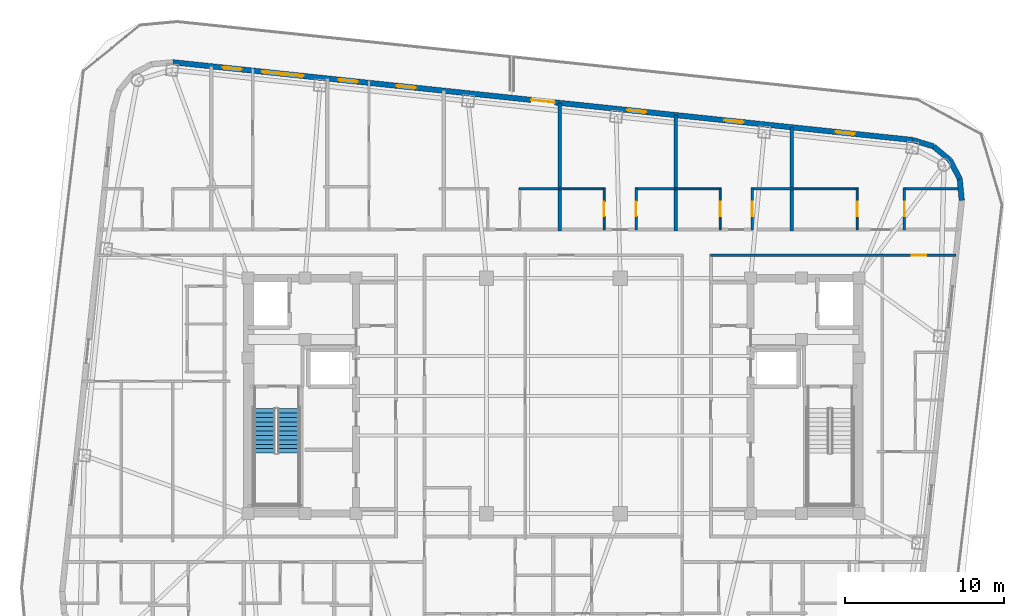
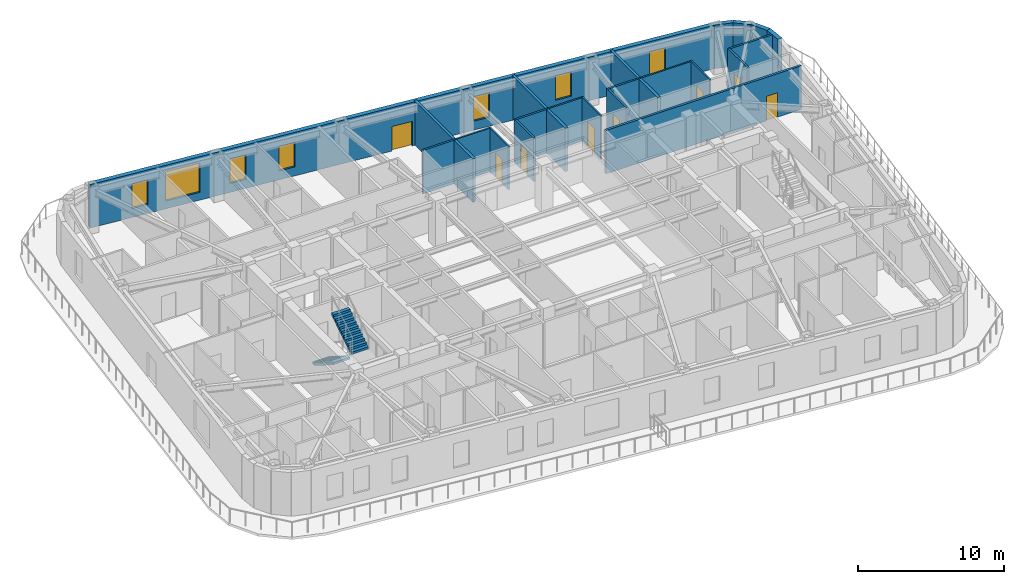
# One storey, part 8 of 14: 22 walls, 8 doors, 7 windows, 2 stair flights, 15 openings, 1 element without a shape of its own.
"""IFC4 building model written with IfcOpenShell, lengths in metres."""

from ifc_helpers import new_model, si_unit, direction, frame, frame_2d, origin, place, context, subcontext, project, spatial, polyline, rectangle, outline, extrude, material, layer, layer_set, type_object, element, fill, aggregate, save


model = new_model("IFC4")

# Units and contexts
model_context = context("Model", 3, precision=1e-05, world=origin(), true_north=direction((0.0, 1.0)))
body_context = subcontext(model_context, "Body", "Model", "MODEL_VIEW")
ifc_project = project(units=[si_unit("LENGTHUNIT", "METRE"), si_unit("AREAUNIT", "SQUARE_METRE"), si_unit("VOLUMEUNIT", "CUBIC_METRE"), si_unit("PLANEANGLEUNIT", "RADIAN"), si_unit("MASSUNIT", "GRAM", prefix="KILO")], contexts=[model_context])

# Site, building, storey
site_placement = place(None, origin())
site = spatial("IfcSite", under=ifc_project, at=site_placement, CompositionType="ELEMENT")
building_placement = place(site_placement, origin())
building = spatial("IfcBuilding", under=site, at=building_placement, Name="Voryun Gate Residences", CompositionType="ELEMENT")
storey_placement = place(building_placement, frame((0.0, 0.0, 291.199951171875)))
storey = spatial("IfcBuildingStorey", under=building, at=storey_placement, Name="L72", CompositionType="ELEMENT", Elevation=291.199951171875)

# Wall, opening, door
ifc_material_1 = material(Name="Gypsum acoustic fireboard")
ifc_layer_1 = layer(ifc_material_1, 0.179931640625, Name="W_CORR_RATED_180")
ifc_layer_set_1 = layer_set([ifc_layer_1], Name="Gypsum acoustic fireboard")
wall_type_1 = type_object("IfcWallType", Name="W_CORR_RATED_180", PredefinedType="PARTITIONING", material=ifc_layer_set_1)
wall_1_placement = place(storey_placement, frame((9.8798828125, 8.840087890625, 0.0), z_axis=(0.0, 0.0, 1.0), x_axis=(1.0, 0.0, 0.0)))
wall_1 = element("IfcWall", 1, at=wall_1_placement, inside=storey, type_object=wall_type_1, Name="Partition wall WP-L72-CWING-EN", PredefinedType="PARTITIONING", context=body_context, shape_type="SweptSolid", body=[
    extrude(rectangle(XDim=15.427001953125, YDim=0.179931640625, at=frame_2d((7.71337890625, 0.0))), origin(), (0.0, 0.0, 1.0), 3.635009765625),
])
opening_1_placement = place(wall_1_placement, frame((12.662841796875, 0.0, 0.0)))
opening_1 = element("IfcOpeningElement", 2, at=opening_1_placement, cuts=wall_1, Name="Opening D-INT-2", PredefinedType="OPENING", context=body_context, shape_type="SweptSolid", body=[
    extrude(rectangle(XDim=0.89990234375, YDim=2.050048828125, at=frame_2d((0.449951171875, 1.02490234375))), frame((0.0, 0.099853515625, 0.0), z_axis=(0.0, -1.0, 0.0), x_axis=(1.0, 0.0, 0.0)), (0.0, 0.0, 1.0), 0.199951171875),
])
ifc_material_2 = material(Name="Architectural oak veneer")
door_type_1 = type_object("IfcDoorType", Name="DR_INT_BATH_900", OperationType="NOTDEFINED", PredefinedType="DOOR", material=ifc_material_2)
door_1_placement = place(opening_1_placement, origin())
door_1 = element("IfcDoor", 3, at=door_1_placement, inside=storey, type_object=door_type_1, Name="Door DR-L72-EE1N", OperationType="SINGLE_SWING_LEFT", OverallHeight=2.050048828125, OverallWidth=0.89990234375, PredefinedType="DOOR", context=body_context, shape_type="SweptSolid", body=[
    extrude(rectangle(XDim=0.89990234375, YDim=2.050048828125, at=frame_2d((0.449951171875, 1.02490234375))), frame((0.0, 0.02490234375, 0.0), z_axis=(0.0, -1.0, 0.0), x_axis=(1.0, 0.0, 0.0)), (0.0, 0.0, 1.0), 0.050048828125),
])
fill(opening_1, door_1)

# Wall, openings, door, windows
ifc_material_3 = material(Name="Charcoal terracotta masonry", Category="masonry")
ifc_layer_2 = layer(ifc_material_3, 0.340087890625, Name="W_EXT_TERRACOTTA_340")
ifc_layer_set_2 = layer_set([ifc_layer_2], Name="Charcoal terracotta masonry")
wall_type_2 = type_object("IfcWallType", Name="W_EXT_TERRACOTTA_340", PredefinedType="ELEMENTEDWALL", material=ifc_layer_set_2)
wall_2_placement = place(storey_placement, frame((-23.90771484375, 20.97216796875, 0.0), z_axis=(0.0, 0.0, 1.0), x_axis=(0.994521888554, -0.104528528102, 0.0)))
wall_2 = element("IfcWall", 4, at=wall_2_placement, inside=storey, type_object=wall_type_2, Name="Exterior wall WEXT-L72-11", PredefinedType="ELEMENTEDWALL", context=body_context, shape_type="SweptSolid", body=[
    extrude(rectangle(XDim=46.766357421875, YDim=0.340087890625, at=frame_2d((23.38330078125, 0.0))), origin(), (0.0, 0.0, 1.0), 3.635009765625),
])
opening_2_placement = place(wall_2_placement, frame((22.633056640625, 0.0, 0.0)))
opening_2 = element("IfcOpeningElement", 5, at=opening_2_placement, cuts=wall_2, Name="Opening D-TER-1", PredefinedType="OPENING", context=body_context, shape_type="SweptSolid", body=[
    extrude(rectangle(XDim=1.5, YDim=2.050048828125, at=frame_2d((0.75, 1.02490234375))), frame((0.0, 0.179931640625, 0.0), z_axis=(0.0, -1.0, 0.0), x_axis=(1.0, 0.0, 0.0)), (0.0, 0.0, 1.0), 0.360107421875),
])
opening_3_placement = place(wall_2_placement, frame((5.644287109375, 0.0, 0.64990234375)))
opening_3 = element("IfcOpeningElement", 6, at=opening_3_placement, cuts=wall_2, Name="Opening WN4", PredefinedType="OPENING", context=body_context, shape_type="SweptSolid", body=[
    extrude(rectangle(XDim=2.60009765625, YDim=2.449951171875, at=frame_2d((1.300048828125, 1.22509765625))), frame((0.0, 0.179931640625, 0.0), z_axis=(0.0, -1.0, 0.0), x_axis=(1.0, 0.0, 0.0)), (0.0, 0.0, 1.0), 0.360107421875),
])
opening_4_placement = place(wall_2_placement, frame((3.135498046875, 0.0, 0.75)))
opening_4 = element("IfcOpeningElement", 7, at=opening_4_placement, cuts=wall_2, Name="Opening WN6", PredefinedType="OPENING", context=body_context, shape_type="SweptSolid", body=[
    extrude(rectangle(XDim=1.199951171875, YDim=2.050048828125, at=frame_2d((0.60009765625, 1.02490234375))), frame((0.0, 0.179931640625, 0.0), z_axis=(0.0, -1.0, 0.0), x_axis=(1.0, 0.0, 0.0)), (0.0, 0.0, 1.0), 0.360107421875),
])
opening_5_placement = place(wall_2_placement, frame((14.14599609375, 0.0, 0.75)))
opening_5 = element("IfcOpeningElement", 8, at=opening_5_placement, cuts=wall_2, Name="Opening WN6", PredefinedType="OPENING", context=body_context, shape_type="SweptSolid", body=[
    extrude(rectangle(XDim=1.199951171875, YDim=2.050048828125, at=frame_2d((0.60009765625, 1.02490234375))), frame((0.0, 0.179931640625, 0.0), z_axis=(0.0, -1.0, 0.0), x_axis=(1.0, 0.0, 0.0)), (0.0, 0.0, 1.0), 0.360107421875),
])
opening_6_placement = place(wall_2_placement, frame((10.475830078125, 0.0, 0.75)))
opening_6 = element("IfcOpeningElement", 9, at=opening_6_placement, cuts=wall_2, Name="Opening WN6", PredefinedType="OPENING", context=body_context, shape_type="SweptSolid", body=[
    extrude(rectangle(XDim=1.199951171875, YDim=2.050048828125, at=frame_2d((0.60009765625, 1.02490234375))), frame((0.0, 0.179931640625, 0.0), z_axis=(0.0, -1.0, 0.0), x_axis=(1.0, 0.0, 0.0)), (0.0, 0.0, 1.0), 0.360107421875),
])
opening_7_placement = place(wall_2_placement, frame((28.714111328125, 0.0, 0.75)))
opening_7 = element("IfcOpeningElement", 10, at=opening_7_placement, cuts=wall_2, Name="Opening WN6", PredefinedType="OPENING", context=body_context, shape_type="SweptSolid", body=[
    extrude(rectangle(XDim=1.199951171875, YDim=2.050048828125, at=frame_2d((0.60009765625, 1.02490234375))), frame((0.0, 0.179931640625, 0.0), z_axis=(0.0, -1.0, 0.0), x_axis=(1.0, 0.0, 0.0)), (0.0, 0.0, 1.0), 0.360107421875),
])
opening_8_placement = place(wall_2_placement, frame((34.854248046875, 0.0, 0.75)))
opening_8 = element("IfcOpeningElement", 11, at=opening_8_placement, cuts=wall_2, Name="Opening WN6", PredefinedType="OPENING", context=body_context, shape_type="SweptSolid", body=[
    extrude(rectangle(XDim=1.199951171875, YDim=2.050048828125, at=frame_2d((0.60009765625, 1.02490234375))), frame((0.0, 0.179931640625, 0.0), z_axis=(0.0, -1.0, 0.0), x_axis=(1.0, 0.0, 0.0)), (0.0, 0.0, 1.0), 0.360107421875),
])
opening_9_placement = place(wall_2_placement, frame((41.899169921875, 0.0, 0.75)))
opening_9 = element("IfcOpeningElement", 12, at=opening_9_placement, cuts=wall_2, Name="Opening WN6", PredefinedType="OPENING", context=body_context, shape_type="SweptSolid", body=[
    extrude(rectangle(XDim=1.199951171875, YDim=2.050048828125, at=frame_2d((0.60009765625, 1.02490234375))), frame((0.0, 0.179931640625, 0.0), z_axis=(0.0, -1.0, 0.0), x_axis=(1.0, 0.0, 0.0)), (0.0, 0.0, 1.0), 0.360107421875),
])
ifc_material_4 = material(Name="Thermally broken aluminium and low-E glass", Category="aluminium")
door_type_2 = type_object("IfcDoorType", Name="DR_TERR_EXIT_1500", OperationType="NOTDEFINED", PredefinedType="DOOR", material=ifc_material_4)
door_2_placement = place(opening_2_placement, origin())
door_2 = element("IfcDoor", 13, at=door_2_placement, inside=storey, type_object=door_type_2, Name="Door DR-L72-OUT-02", OperationType="SLIDING_TO_RIGHT", OverallHeight=2.050048828125, OverallWidth=1.5, PredefinedType="DOOR", context=body_context, shape_type="SweptSolid", body=[
    extrude(rectangle(XDim=1.5, YDim=2.050048828125, at=frame_2d((0.75, 1.02490234375))), frame((0.0, 0.02490234375, 0.0), z_axis=(0.0, -1.0, 0.0), x_axis=(1.0, 0.0, 0.0)), (0.0, 0.0, 1.0), 0.050048828125),
])
fill(opening_2, door_2)
ifc_material_5 = material(Name="Laminated low-E glass", Category="glass")
window_type_1 = type_object("IfcWindowType", Name="WN_PENT_TALL_2600", PartitioningType="SINGLE_PANEL", PredefinedType="WINDOW", material=ifc_material_5)
window_1_placement = place(opening_3_placement, origin())
window_1 = element("IfcWindow", 14, at=window_1_placement, inside=storey, type_object=window_type_1, Name="Window WN-WEXT-L72-11-01", OverallHeight=2.449951171875, OverallWidth=2.60009765625, PartitioningType="SINGLE_PANEL", PredefinedType="WINDOW", context=body_context, shape_type="SweptSolid", body=[
    extrude(rectangle(XDim=2.60009765625, YDim=2.449951171875, at=frame_2d((1.300048828125, 1.22509765625))), frame((0.0, 0.030029296875, 0.0), z_axis=(0.0, -1.0, 0.0), x_axis=(1.0, 0.0, 0.0)), (0.0, 0.0, 1.0), 0.06005859375),
])
fill(opening_3, window_1)
ifc_material_6 = material(Name="Laminated low-E glass", Category="glass")
window_type_2 = type_object("IfcWindowType", Name="WN_POD_SLOT_1200", PartitioningType="SINGLE_PANEL", PredefinedType="WINDOW", material=ifc_material_6)
window_2_placement = place(opening_4_placement, origin())
window_2 = element("IfcWindow", 15, at=window_2_placement, inside=storey, type_object=window_type_2, Name="Window WN-L72-DWFIX-02", OverallHeight=2.050048828125, OverallWidth=1.199951171875, PartitioningType="SINGLE_PANEL", PredefinedType="WINDOW", context=body_context, shape_type="SweptSolid", body=[
    extrude(rectangle(XDim=1.199951171875, YDim=2.050048828125, at=frame_2d((0.60009765625, 1.02490234375))), frame((0.0, 0.030029296875, 0.0), z_axis=(0.0, -1.0, 0.0), x_axis=(1.0, 0.0, 0.0)), (0.0, 0.0, 1.0), 0.06005859375),
])
fill(opening_4, window_2)
window_3_placement = place(opening_5_placement, origin())
window_3 = element("IfcWindow", 16, at=window_3_placement, inside=storey, type_object=window_type_2, Name="Window WN-L72-DWFIX-03", OverallHeight=2.050048828125, OverallWidth=1.199951171875, PartitioningType="SINGLE_PANEL", PredefinedType="WINDOW", context=body_context, shape_type="SweptSolid", body=[
    extrude(rectangle(XDim=1.199951171875, YDim=2.050048828125, at=frame_2d((0.60009765625, 1.02490234375))), frame((0.0, 0.030029296875, 0.0), z_axis=(0.0, -1.0, 0.0), x_axis=(1.0, 0.0, 0.0)), (0.0, 0.0, 1.0), 0.06005859375),
])
fill(opening_5, window_3)
window_4_placement = place(opening_6_placement, origin())
window_4 = element("IfcWindow", 17, at=window_4_placement, inside=storey, type_object=window_type_2, Name="Window WN-L72-DWFIX-04", OverallHeight=2.050048828125, OverallWidth=1.199951171875, PartitioningType="SINGLE_PANEL", PredefinedType="WINDOW", context=body_context, shape_type="SweptSolid", body=[
    extrude(rectangle(XDim=1.199951171875, YDim=2.050048828125, at=frame_2d((0.60009765625, 1.02490234375))), frame((0.0, 0.030029296875, 0.0), z_axis=(0.0, -1.0, 0.0), x_axis=(1.0, 0.0, 0.0)), (0.0, 0.0, 1.0), 0.06005859375),
])
fill(opening_6, window_4)
window_5_placement = place(opening_7_placement, origin())
window_5 = element("IfcWindow", 18, at=window_5_placement, inside=storey, type_object=window_type_2, Name="Window WN-L72-DWFIX-05", OverallHeight=2.050048828125, OverallWidth=1.199951171875, PartitioningType="SINGLE_PANEL", PredefinedType="WINDOW", context=body_context, shape_type="SweptSolid", body=[
    extrude(rectangle(XDim=1.199951171875, YDim=2.050048828125, at=frame_2d((0.60009765625, 1.02490234375))), frame((0.0, 0.030029296875, 0.0), z_axis=(0.0, -1.0, 0.0), x_axis=(1.0, 0.0, 0.0)), (0.0, 0.0, 1.0), 0.06005859375),
])
fill(opening_7, window_5)
window_6_placement = place(opening_8_placement, origin())
window_6 = element("IfcWindow", 19, at=window_6_placement, inside=storey, type_object=window_type_2, Name="Window WN-L72-DWFIX-06", OverallHeight=2.050048828125, OverallWidth=1.199951171875, PartitioningType="SINGLE_PANEL", PredefinedType="WINDOW", context=body_context, shape_type="SweptSolid", body=[
    extrude(rectangle(XDim=1.199951171875, YDim=2.050048828125, at=frame_2d((0.60009765625, 1.02490234375))), frame((0.0, 0.030029296875, 0.0), z_axis=(0.0, -1.0, 0.0), x_axis=(1.0, 0.0, 0.0)), (0.0, 0.0, 1.0), 0.06005859375),
])
fill(opening_8, window_6)
window_7_placement = place(opening_9_placement, origin())
window_7 = element("IfcWindow", 20, at=window_7_placement, inside=storey, type_object=window_type_2, Name="Window WN-L72-DWFIX-07", OverallHeight=2.050048828125, OverallWidth=1.199951171875, PartitioningType="SINGLE_PANEL", PredefinedType="WINDOW", context=body_context, shape_type="SweptSolid", body=[
    extrude(rectangle(XDim=1.199951171875, YDim=2.050048828125, at=frame_2d((0.60009765625, 1.02490234375))), frame((0.0, 0.030029296875, 0.0), z_axis=(0.0, -1.0, 0.0), x_axis=(1.0, 0.0, 0.0)), (0.0, 0.0, 1.0), 0.06005859375),
])
fill(opening_9, window_7)

# Walls
wall_3_placement = place(storey_placement, frame((22.6025390625, 16.083740234375, 0.0), z_axis=(0.0, 0.0, 1.0), x_axis=(0.955007802701, -0.296580674994, 0.0)))
element("IfcWall", 21, at=wall_3_placement, inside=storey, type_object=wall_type_2, Name="Exterior wall WEXT-L72-12", PredefinedType="ELEMENTEDWALL", context=body_context, shape_type="SweptSolid", body=[
    extrude(rectangle(XDim=1.354248046875, YDim=0.340087890625, at=frame_2d((0.67724609375, 0.0))), origin(), (0.0, 0.0, 1.0), 3.635009765625),
])
for number, where, z_axis, x_axis, name in (
    (22, (23.895751953125, 15.68212890625, 0.0), (0.0, 0.0, 1.0), (0.768789762863, -0.639501603217, 0.0), "Exterior wall WEXT-L72-13"),
    (23, (24.923583984375, 14.8271484375, 0.0), (0.0, 0.0, 1.0), (0.46567116636, -0.884957832228, 0.0), "Exterior wall WEXT-L72-14"),
):
    element("IfcWall", number, at=place(storey_placement, frame(where, z_axis=z_axis, x_axis=x_axis)), inside=storey, type_object=wall_type_2, Name=name, PredefinedType="ELEMENTEDWALL", context=body_context, shape_type="SweptSolid", body=[
        extrude(rectangle(XDim=1.3369140625, YDim=0.340087890625, at=frame_2d((0.66845703125, 0.0))), origin(), (0.0, 0.0, 1.0), 3.635009765625),
    ])
wall_4_placement = place(storey_placement, frame((25.546142578125, 13.64404296875, 0.0), z_axis=(0.0, 0.0, 1.0), x_axis=(0.091592370975, -0.995796584438, 0.0)))
element("IfcWall", 24, at=wall_4_placement, inside=storey, type_object=wall_type_2, Name="Exterior wall WEXT-L72-15", PredefinedType="ELEMENTEDWALL", context=body_context, shape_type="SweptSolid", body=[
    extrude(rectangle(XDim=1.35400390625, YDim=0.340087890625, at=frame_2d((0.677001953125, 0.0))), origin(), (0.0, 0.0, 1.0), 3.635009765625),
])
ifc_material_7 = material(Name="Concrete C40/50", Category="concrete")
ifc_layer_3 = layer(ifc_material_7, 0.219970703125, Name="W_PARTY_ACOUSTIC_220")
ifc_layer_set_3 = layer_set([ifc_layer_3], Name="Concrete C40/50")
wall_type_3 = type_object("IfcWallType", Name="W_PARTY_ACOUSTIC_220", PredefinedType="PARTITIONING", material=ifc_layer_set_3)
wall_5_placement = place(storey_placement, frame((0.39990234375, 10.3701171875, 0.0), z_axis=(0.0, 0.0, 1.0), x_axis=(0.0, 1.0, 0.0)))
element("IfcWall", 25, at=wall_5_placement, inside=storey, type_object=wall_type_3, Name="Partition wall WP-L72-NPTY-4", PredefinedType="PARTITIONING", context=body_context, shape_type="SweptSolid", body=[
    extrude(rectangle(XDim=8.047119140625, YDim=0.219970703125, at=frame_2d((4.0234375, 0.0))), origin(), (0.0, 0.0, 1.0), 3.635009765625),
])
wall_6_placement = place(storey_placement, frame((7.699951171875, 10.3701171875, 0.0), z_axis=(0.0, 0.0, 1.0), x_axis=(0.0, 1.0, 0.0)))
element("IfcWall", 26, at=wall_6_placement, inside=storey, type_object=wall_type_3, Name="Partition wall WP-L72-NPTY-5", PredefinedType="PARTITIONING", context=body_context, shape_type="SweptSolid", body=[
    extrude(rectangle(XDim=7.27978515625, YDim=0.219970703125, at=frame_2d((3.639892578125, 0.0))), origin(), (0.0, 0.0, 1.0), 3.635009765625),
])
wall_7_placement = place(storey_placement, frame((15.0, 10.3701171875, 0.0), z_axis=(0.0, 0.0, 1.0), x_axis=(0.0, 1.0, 0.0)))
element("IfcWall", 27, at=wall_7_placement, inside=storey, type_object=wall_type_3, Name="Partition wall WP-L72-NPTY-6", PredefinedType="PARTITIONING", context=body_context, shape_type="SweptSolid", body=[
    extrude(rectangle(XDim=6.5126953125, YDim=0.219970703125, at=frame_2d((3.25634765625, 0.0))), origin(), (0.0, 0.0, 1.0), 3.635009765625),
])

# Wall, opening, door
ifc_material_8 = material(Name="Gypsum acoustic partition")
ifc_layer_4 = layer(ifc_material_8, 0.125, Name="W_UNIT_PART_125")
ifc_layer_set_4 = layer_set([ifc_layer_4], Name="Gypsum acoustic partition")
wall_type_4 = type_object("IfcWallType", Name="W_UNIT_PART_125", PredefinedType="PARTITIONING", material=ifc_layer_set_4)
wall_8_placement = place(storey_placement, frame((3.18798828125, 10.429931640625, 0.0), z_axis=(0.0, 0.0, 1.0), x_axis=(0.0, 1.0, 0.0)))
wall_8 = element("IfcWall", 28, at=wall_8_placement, inside=storey, type_object=wall_type_4, Name="Partition wall WP-L72-N5-CVK", PredefinedType="PARTITIONING", context=body_context, shape_type="SweptSolid", body=[
    extrude(rectangle(XDim=2.650146484375, YDim=0.125, at=frame_2d((1.3251953125, 0.0))), origin(), (0.0, 0.0, 1.0), 3.635009765625),
])
opening_10_placement = place(wall_8_placement, frame((0.875, 0.0, 0.0)))
opening_10 = element("IfcOpeningElement", 29, at=opening_10_placement, cuts=wall_8, Name="Opening D-INT-2", PredefinedType="OPENING", context=body_context, shape_type="SweptSolid", body=[
    extrude(rectangle(XDim=0.89990234375, YDim=2.050048828125, at=frame_2d((0.449951171875, 1.02490234375))), frame((0.0, 0.072509765625, 0.0), z_axis=(0.0, -1.0, 0.0), x_axis=(1.0, 0.0, 0.0)), (0.0, 0.0, 1.0), 0.14501953125),
])
door_3_placement = place(opening_10_placement, origin())
door_3 = element("IfcDoor", 30, at=door_3_placement, inside=storey, type_object=door_type_1, Name="Door DR-L72-N5-DK", OperationType="SINGLE_SWING_LEFT", OverallHeight=2.050048828125, OverallWidth=0.89990234375, PredefinedType="DOOR", context=body_context, shape_type="SweptSolid", body=[
    extrude(rectangle(XDim=0.89990234375, YDim=2.050048828125, at=frame_2d((0.449951171875, 1.02490234375))), frame((0.0, 0.02490234375, 0.0), z_axis=(0.0, -1.0, 0.0), x_axis=(1.0, 0.0, 0.0)), (0.0, 0.0, 1.0), 0.050048828125),
])
fill(opening_10, door_3)

# Wall
wall_9_placement = place(storey_placement, frame((0.324951171875, 13.02001953125, 0.0), z_axis=(0.0, 0.0, 1.0), x_axis=(1.0, 0.0, 0.0)))
element("IfcWall", 31, at=wall_9_placement, inside=storey, type_object=wall_type_4, Name="Partition wall WP-L72-N5-CHK", PredefinedType="PARTITIONING", context=body_context, shape_type="SweptSolid", body=[
    extrude(rectangle(XDim=2.923095703125, YDim=0.125, at=frame_2d((1.46142578125, 0.0))), origin(), (0.0, 0.0, 1.0), 3.635009765625),
])

# Wall, opening, door
wall_10_placement = place(storey_placement, frame((10.488037109375, 10.429931640625, 0.0), z_axis=(0.0, 0.0, 1.0), x_axis=(0.0, 1.0, 0.0)))
wall_10 = element("IfcWall", 32, at=wall_10_placement, inside=storey, type_object=wall_type_4, Name="Partition wall WP-L72-N6-CVK", PredefinedType="PARTITIONING", context=body_context, shape_type="SweptSolid", body=[
    extrude(rectangle(XDim=2.650146484375, YDim=0.125, at=frame_2d((1.3251953125, 0.0))), origin(), (0.0, 0.0, 1.0), 3.635009765625),
])
opening_11_placement = place(wall_10_placement, frame((0.875, 0.0, 0.0)))
opening_11 = element("IfcOpeningElement", 33, at=opening_11_placement, cuts=wall_10, Name="Opening D-INT-2", PredefinedType="OPENING", context=body_context, shape_type="SweptSolid", body=[
    extrude(rectangle(XDim=0.89990234375, YDim=2.050048828125, at=frame_2d((0.449951171875, 1.02490234375))), frame((0.0, 0.072509765625, 0.0), z_axis=(0.0, -1.0, 0.0), x_axis=(1.0, 0.0, 0.0)), (0.0, 0.0, 1.0), 0.14501953125),
])
door_4_placement = place(opening_11_placement, origin())
door_4 = element("IfcDoor", 34, at=door_4_placement, inside=storey, type_object=door_type_1, Name="Door DR-L72-N6-DK", OperationType="SINGLE_SWING_LEFT", OverallHeight=2.050048828125, OverallWidth=0.89990234375, PredefinedType="DOOR", context=body_context, shape_type="SweptSolid", body=[
    extrude(rectangle(XDim=0.89990234375, YDim=2.050048828125, at=frame_2d((0.449951171875, 1.02490234375))), frame((0.0, 0.02490234375, 0.0), z_axis=(0.0, -1.0, 0.0), x_axis=(1.0, 0.0, 0.0)), (0.0, 0.0, 1.0), 0.050048828125),
])
fill(opening_11, door_4)

# Wall
wall_11_placement = place(storey_placement, frame((7.625, 13.02001953125, 0.0), z_axis=(0.0, 0.0, 1.0), x_axis=(1.0, 0.0, 0.0)))
element("IfcWall", 35, at=wall_11_placement, inside=storey, type_object=wall_type_4, Name="Partition wall WP-L72-N6-CHK", PredefinedType="PARTITIONING", context=body_context, shape_type="SweptSolid", body=[
    extrude(rectangle(XDim=2.923095703125, YDim=0.125, at=frame_2d((1.46142578125, 0.0))), origin(), (0.0, 0.0, 1.0), 3.635009765625),
])

# Wall, opening, door
wall_12_placement = place(storey_placement, frame((19.093994140625, 10.429931640625, 0.0), z_axis=(0.0, 0.0, 1.0), x_axis=(0.0, 1.0, 0.0)))
wall_12 = element("IfcWall", 36, at=wall_12_placement, inside=storey, type_object=wall_type_4, Name="Partition wall WP-L72-N7-CVK", PredefinedType="PARTITIONING", context=body_context, shape_type="SweptSolid", body=[
    extrude(rectangle(XDim=2.650146484375, YDim=0.125, at=frame_2d((1.3251953125, 0.0))), origin(), (0.0, 0.0, 1.0), 3.635009765625),
])
opening_12_placement = place(wall_12_placement, frame((0.875, 0.0, 0.0)))
opening_12 = element("IfcOpeningElement", 37, at=opening_12_placement, cuts=wall_12, Name="Opening D-INT-2", PredefinedType="OPENING", context=body_context, shape_type="SweptSolid", body=[
    extrude(rectangle(XDim=0.89990234375, YDim=2.050048828125, at=frame_2d((0.449951171875, 1.02490234375))), frame((0.0, 0.072509765625, 0.0), z_axis=(0.0, -1.0, 0.0), x_axis=(1.0, 0.0, 0.0)), (0.0, 0.0, 1.0), 0.14501953125),
])
door_5_placement = place(opening_12_placement, origin())
door_5 = element("IfcDoor", 38, at=door_5_placement, inside=storey, type_object=door_type_1, Name="Door DR-L72-N7-DK", OperationType="SINGLE_SWING_LEFT", OverallHeight=2.050048828125, OverallWidth=0.89990234375, PredefinedType="DOOR", context=body_context, shape_type="SweptSolid", body=[
    extrude(rectangle(XDim=0.89990234375, YDim=2.050048828125, at=frame_2d((0.449951171875, 1.02490234375))), frame((0.0, 0.02490234375, 0.0), z_axis=(0.0, -1.0, 0.0), x_axis=(1.0, 0.0, 0.0)), (0.0, 0.0, 1.0), 0.050048828125),
])
fill(opening_12, door_5)

# Walls
wall_13_placement = place(storey_placement, frame((14.925048828125, 13.02001953125, 0.0), z_axis=(0.0, 0.0, 1.0), x_axis=(1.0, 0.0, 0.0)))
element("IfcWall", 39, at=wall_13_placement, inside=storey, type_object=wall_type_4, Name="Partition wall WP-L72-N7-CHK", PredefinedType="PARTITIONING", context=body_context, shape_type="SweptSolid", body=[
    extrude(rectangle(XDim=4.22900390625, YDim=0.125, at=frame_2d((2.114501953125, 0.0))), origin(), (0.0, 0.0, 1.0), 3.635009765625),
])
ifc_material_9 = material(Name="Gypsum moisture-resistant partition")
ifc_layer_5 = layer(ifc_material_9, 0.14990234375, Name="W_WET_PLUMB_150")
ifc_layer_set_5 = layer_set([ifc_layer_5], Name="Gypsum moisture-resistant partition")
wall_type_5 = type_object("IfcWallType", Name="W_WET_PLUMB_150", PredefinedType="PLUMBINGWALL", material=ifc_layer_set_5)
wall_14_placement = place(storey_placement, frame((-2.160888671875, 13.02001953125, 0.0), z_axis=(0.0, 0.0, 1.0), x_axis=(1.0, 0.0, 0.0)))
element("IfcWall", 40, at=wall_14_placement, inside=storey, type_object=wall_type_5, Name="Partition wall WP-L72-N4-CHB", PredefinedType="PLUMBINGWALL", context=body_context, shape_type="SweptSolid", body=[
    extrude(rectangle(XDim=2.635986328125, YDim=0.14990234375, at=frame_2d((1.31787109375, 0.0))), origin(), (0.0, 0.0, 1.0), 3.635009765625),
])

# Wall, opening, door
wall_15_placement = place(storey_placement, frame((5.198974609375, 10.429931640625, 0.0), z_axis=(0.0, 0.0, 1.0), x_axis=(0.0, 1.0, 0.0)))
wall_15 = element("IfcWall", 41, at=wall_15_placement, inside=storey, type_object=wall_type_5, Name="Partition wall WP-L72-N5-CVB", PredefinedType="PLUMBINGWALL", context=body_context, shape_type="SweptSolid", body=[
    extrude(rectangle(XDim=2.650146484375, YDim=0.14990234375, at=frame_2d((1.3251953125, 0.0))), origin(), (0.0, 0.0, 1.0), 3.635009765625),
])
opening_13_placement = place(wall_15_placement, frame((0.875, 0.0, 0.0)))
opening_13 = element("IfcOpeningElement", 42, at=opening_13_placement, cuts=wall_15, Name="Opening D-INT-2", PredefinedType="OPENING", context=body_context, shape_type="SweptSolid", body=[
    extrude(rectangle(XDim=0.89990234375, YDim=2.050048828125, at=frame_2d((0.449951171875, 1.02490234375))), frame((0.0, 0.0849609375, 0.0), z_axis=(0.0, -1.0, 0.0), x_axis=(1.0, 0.0, 0.0)), (0.0, 0.0, 1.0), 0.169921875),
])
door_6_placement = place(opening_13_placement, origin())
door_6 = element("IfcDoor", 43, at=door_6_placement, inside=storey, type_object=door_type_1, Name="Door DR-L72-N5-DB", OperationType="SINGLE_SWING_RIGHT", OverallHeight=2.050048828125, OverallWidth=0.89990234375, PredefinedType="DOOR", context=body_context, shape_type="SweptSolid", body=[
    extrude(rectangle(XDim=0.89990234375, YDim=2.050048828125, at=frame_2d((0.449951171875, 1.02490234375))), frame((0.0, 0.02490234375, 0.0), z_axis=(0.0, -1.0, 0.0), x_axis=(1.0, 0.0, 0.0)), (0.0, 0.0, 1.0), 0.050048828125),
])
fill(opening_13, door_6)

# Wall
wall_16_placement = place(storey_placement, frame((5.138916015625, 13.02001953125, 0.0), z_axis=(0.0, 0.0, 1.0), x_axis=(1.0, 0.0, 0.0)))
element("IfcWall", 44, at=wall_16_placement, inside=storey, type_object=wall_type_5, Name="Partition wall WP-L72-N5-CHB", PredefinedType="PLUMBINGWALL", context=body_context, shape_type="SweptSolid", body=[
    extrude(rectangle(XDim=2.635986328125, YDim=0.14990234375, at=frame_2d((1.31787109375, 0.0))), origin(), (0.0, 0.0, 1.0), 3.635009765625),
])

# Wall, opening, door
wall_17_placement = place(storey_placement, frame((12.4990234375, 10.429931640625, 0.0), z_axis=(0.0, 0.0, 1.0), x_axis=(0.0, 1.0, 0.0)))
wall_17 = element("IfcWall", 45, at=wall_17_placement, inside=storey, type_object=wall_type_5, Name="Partition wall WP-L72-N6-CVB", PredefinedType="PLUMBINGWALL", context=body_context, shape_type="SweptSolid", body=[
    extrude(rectangle(XDim=2.650146484375, YDim=0.14990234375, at=frame_2d((1.3251953125, 0.0))), origin(), (0.0, 0.0, 1.0), 3.635009765625),
])
opening_14_placement = place(wall_17_placement, frame((0.875, 0.0, 0.0)))
opening_14 = element("IfcOpeningElement", 46, at=opening_14_placement, cuts=wall_17, Name="Opening D-INT-2", PredefinedType="OPENING", context=body_context, shape_type="SweptSolid", body=[
    extrude(rectangle(XDim=0.89990234375, YDim=2.050048828125, at=frame_2d((0.449951171875, 1.02490234375))), frame((0.0, 0.0849609375, 0.0), z_axis=(0.0, -1.0, 0.0), x_axis=(1.0, 0.0, 0.0)), (0.0, 0.0, 1.0), 0.169921875),
])
door_7_placement = place(opening_14_placement, origin())
door_7 = element("IfcDoor", 47, at=door_7_placement, inside=storey, type_object=door_type_1, Name="Door DR-L72-N6-DB", OperationType="SINGLE_SWING_RIGHT", OverallHeight=2.050048828125, OverallWidth=0.89990234375, PredefinedType="DOOR", context=body_context, shape_type="SweptSolid", body=[
    extrude(rectangle(XDim=0.89990234375, YDim=2.050048828125, at=frame_2d((0.449951171875, 1.02490234375))), frame((0.0, 0.02490234375, 0.0), z_axis=(0.0, -1.0, 0.0), x_axis=(1.0, 0.0, 0.0)), (0.0, 0.0, 1.0), 0.050048828125),
])
fill(opening_14, door_7)

# Wall
wall_18_placement = place(storey_placement, frame((12.43896484375, 13.02001953125, 0.0), z_axis=(0.0, 0.0, 1.0), x_axis=(1.0, 0.0, 0.0)))
element("IfcWall", 48, at=wall_18_placement, inside=storey, type_object=wall_type_5, Name="Partition wall WP-L72-N6-CHB", PredefinedType="PLUMBINGWALL", context=body_context, shape_type="SweptSolid", body=[
    extrude(rectangle(XDim=2.635986328125, YDim=0.14990234375, at=frame_2d((1.31787109375, 0.0))), origin(), (0.0, 0.0, 1.0), 3.635009765625),
])

# Wall, opening, door
wall_19_placement = place(storey_placement, frame((22.06689453125, 10.429931640625, 0.0), z_axis=(0.0, 0.0, 1.0), x_axis=(0.0, 1.0, 0.0)))
wall_19 = element("IfcWall", 49, at=wall_19_placement, inside=storey, type_object=wall_type_5, Name="Partition wall WP-L72-N7-CVB", PredefinedType="PLUMBINGWALL", context=body_context, shape_type="SweptSolid", body=[
    extrude(rectangle(XDim=2.650146484375, YDim=0.14990234375, at=frame_2d((1.3251953125, 0.0))), origin(), (0.0, 0.0, 1.0), 3.635009765625),
])
opening_15_placement = place(wall_19_placement, frame((0.875, 0.0, 0.0)))
opening_15 = element("IfcOpeningElement", 50, at=opening_15_placement, cuts=wall_19, Name="Opening D-INT-2", PredefinedType="OPENING", context=body_context, shape_type="SweptSolid", body=[
    extrude(rectangle(XDim=0.89990234375, YDim=2.050048828125, at=frame_2d((0.449951171875, 1.02490234375))), frame((0.0, 0.0849609375, 0.0), z_axis=(0.0, -1.0, 0.0), x_axis=(1.0, 0.0, 0.0)), (0.0, 0.0, 1.0), 0.169921875),
])
door_8_placement = place(opening_15_placement, origin())
door_8 = element("IfcDoor", 51, at=door_8_placement, inside=storey, type_object=door_type_1, Name="Door DR-L72-N7-DB", OperationType="SINGLE_SWING_RIGHT", OverallHeight=2.050048828125, OverallWidth=0.89990234375, PredefinedType="DOOR", context=body_context, shape_type="SweptSolid", body=[
    extrude(rectangle(XDim=0.89990234375, YDim=2.050048828125, at=frame_2d((0.449951171875, 1.02490234375))), frame((0.0, 0.02490234375, 0.0), z_axis=(0.0, -1.0, 0.0), x_axis=(1.0, 0.0, 0.0)), (0.0, 0.0, 1.0), 0.050048828125),
])
fill(opening_15, door_8)

# Wall
wall_20_placement = place(storey_placement, frame((22.007080078125, 13.02001953125, 0.0), z_axis=(0.0, 0.0, 1.0), x_axis=(1.0, 0.0, 0.0)))
element("IfcWall", 52, at=wall_20_placement, inside=storey, type_object=wall_type_5, Name="Partition wall WP-L72-N7-CHB", PredefinedType="PLUMBINGWALL", context=body_context, shape_type="SweptSolid", body=[
    extrude(rectangle(XDim=3.7470703125, YDim=0.14990234375, at=frame_2d((1.87353515625, 0.0))), origin(), (0.0, 0.0, 1.0), 3.635009765625),
])

# Stair, stair flights
ifc_material_10 = material(Name="Concrete C40/50", Category="concrete")
stair_type = type_object("IfcStairType", Name="STR_CORE_DOGLEG_1350", PredefinedType="HALF_TURN_STAIR", material=ifc_material_10)
stair_placement = place(storey_placement, origin())
stair = element("IfcStair", 53, at=stair_placement, inside=storey, type_object=stair_type, Name="L72 Special Escape Stair ST-W1", PredefinedType="HALF_TURN_STAIR")
ifc_material_11 = material(Name="Concrete C40/50", Category="concrete")
stair_flight_type = type_object("IfcStairFlightType", Name="FLT_CORE_1350", PredefinedType="STRAIGHT", material=ifc_material_11)
stair_flight_1_placement = place(storey_placement, frame((-18.14990234375, -0.800048828125, 0.0), z_axis=(0.0, 0.0, 1.0), x_axis=(0.0, -1.0, 0.0)))
stair_flight_1 = element("IfcStairFlight", 54, at=stair_flight_1_placement, type_object=stair_flight_type, Name="ST-W1 flight 1", NumberOfRisers=11, NumberOfTreads=10, PredefinedType="STRAIGHT", RiserHeight=0.177272727, TreadLength=0.28, context=body_context, shape_type="SweptSolid", body=[
    extrude(outline(polyline([(0.0, 0.0), (0.0, 0.17724609375), (0.280029296875, 0.17724609375), (0.280029296875, 0.3544921875), (0.56005859375, 0.3544921875), (0.56005859375, 0.53173828125), (0.840087890625, 0.53173828125), (0.840087890625, 0.708984375), (1.1201171875, 0.708984375), (1.1201171875, 0.886474609375), (1.39990234375, 0.886474609375), (1.39990234375, 1.063720703125), (1.679931640625, 1.063720703125), (1.679931640625, 1.240966796875), (1.9599609375, 1.240966796875), (1.9599609375, 1.418212890625), (2.239990234375, 1.418212890625), (2.239990234375, 1.595458984375), (2.52001953125, 1.595458984375), (2.52001953125, 1.772705078125), (2.800048828125, 1.772705078125), (2.800048828125, 1.949951171875), (2.800048828125, 1.59521484375), (0.2802734375, 0.0), (0.0, 0.0)])), frame((0.0, 0.675048828125, 0.0), z_axis=(0.0, -1.0, 0.0), x_axis=(1.0, 0.0, 0.0)), (0.0, 0.0, 1.0), 1.35009765625),
])
stair_flight_2_placement = place(storey_placement, frame((-16.64990234375, -3.60009765625, 1.949951171875), z_axis=(0.0, 0.0, 1.0), x_axis=(0.0, 1.0, 0.0)))
stair_flight_2 = element("IfcStairFlight", 55, at=stair_flight_2_placement, type_object=stair_flight_type, Name="ST-W1 flight 2", NumberOfRisers=11, NumberOfTreads=10, PredefinedType="STRAIGHT", RiserHeight=0.177272727, TreadLength=0.28, context=body_context, shape_type="SweptSolid", body=[
    extrude(outline(polyline([(0.0, 0.0), (0.0, 0.17724609375), (0.280029296875, 0.17724609375), (0.280029296875, 0.3544921875), (0.56005859375, 0.3544921875), (0.56005859375, 0.53173828125), (0.840087890625, 0.53173828125), (0.840087890625, 0.708984375), (1.1201171875, 0.708984375), (1.1201171875, 0.886474609375), (1.39990234375, 0.886474609375), (1.39990234375, 1.063720703125), (1.679931640625, 1.063720703125), (1.679931640625, 1.240966796875), (1.9599609375, 1.240966796875), (1.9599609375, 1.418212890625), (2.239990234375, 1.418212890625), (2.239990234375, 1.595458984375), (2.52001953125, 1.595458984375), (2.52001953125, 1.772705078125), (2.800048828125, 1.772705078125), (2.800048828125, 1.949951171875), (2.800048828125, 1.59521484375), (0.2802734375, 0.0), (0.0, 0.0)])), frame((0.0, 0.675048828125, 0.0), z_axis=(0.0, -1.0, 0.0), x_axis=(1.0, 0.0, 0.0)), (0.0, 0.0, 1.0), 1.35009765625),
])
aggregate(stair, [stair_flight_1, stair_flight_2])

save(model, "model.ifc")
